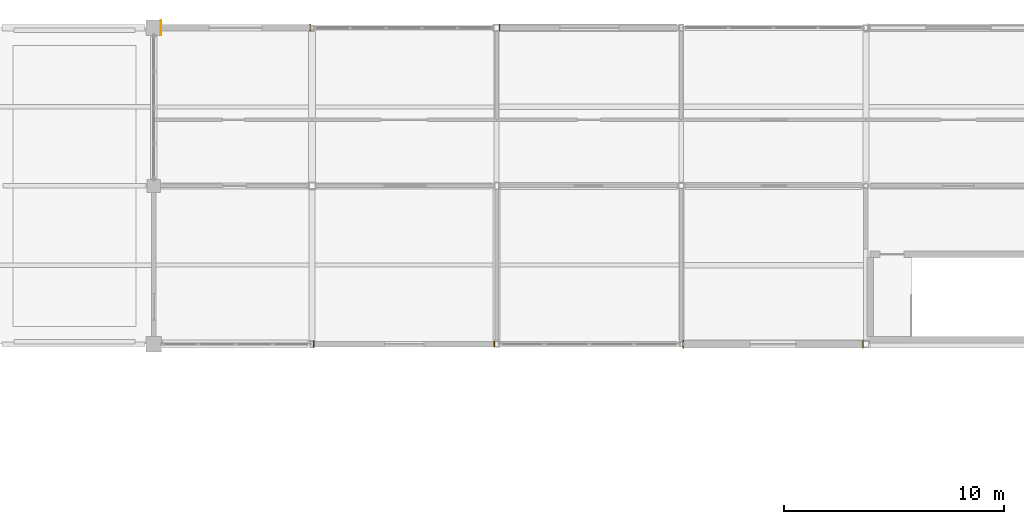
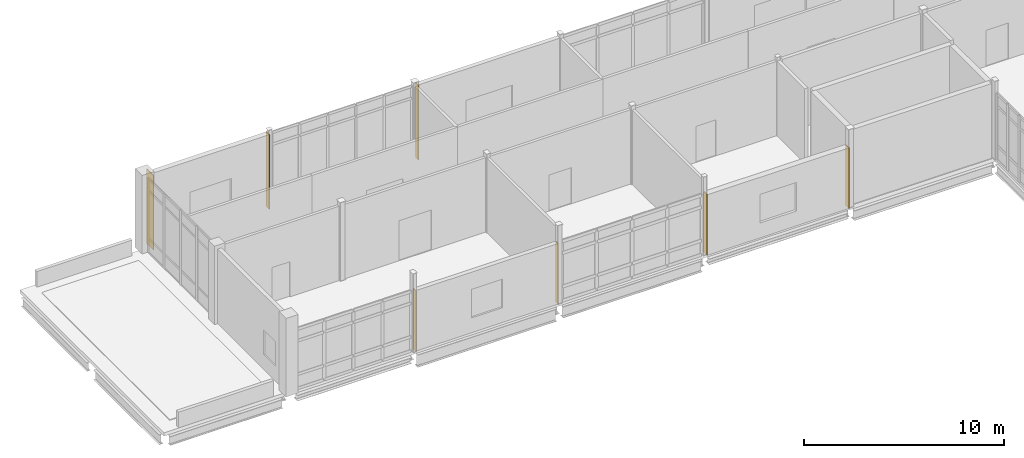
# One storey, part 148 of 153: 7 coverings.
"""IFC4 building model written with IfcOpenShell, lengths in metres."""

from ifc_helpers import new_model, si_unit, direction, frame, origin, place, context, subcontext, project, spatial, polyline, outline, extrude, material, layer, layer_set, type_object, element, save


model = new_model("IFC4")

# Units and contexts
model_context = context("Model", 3, precision=1e-05, world=origin(), true_north=direction((0.0, 1.0)))
body_context = subcontext(model_context, "Body", "Model", "MODEL_VIEW")
ifc_project = project(units=[si_unit("LENGTHUNIT", "METRE"), si_unit("AREAUNIT", "SQUARE_METRE"), si_unit("VOLUMEUNIT", "CUBIC_METRE"), si_unit("PLANEANGLEUNIT", "RADIAN"), si_unit("MASSUNIT", "GRAM", prefix="KILO")], contexts=[model_context])

# Site, building, storey
site_placement = place(None, origin())
site = spatial("IfcSite", under=ifc_project, at=site_placement, CompositionType="ELEMENT")
building_placement = place(site_placement, origin())
building = spatial("IfcBuilding", under=site, at=building_placement, Name="Calvrana Isthmian Art Gallery", CompositionType="ELEMENT")
storey_placement = place(building_placement, frame((0.0, 0.0, 10.199951171875)))
storey = spatial("IfcBuildingStorey", under=building, at=storey_placement, Name="L02", CompositionType="ELEMENT", Elevation=10.199951171875)

# Coverings
ifc_material = material(Name="Polychrome glazed terracotta", Category="masonry")
ifc_layer = layer(ifc_material, 0.0400390625, Name="Polychrome glazed terracotta")
ifc_layer_set = layer_set([ifc_layer], Name="Polychrome glazed terracotta")
covering_type = type_object("IfcCoveringType", Name="COV-CLAD-TERRA", PredefinedType="CLADDING", material=ifc_layer_set)
covering_1_placement = place(storey_placement, origin())
element("IfcCovering", 1, at=covering_1_placement, inside=storey, type_object=covering_type, Name="Column pocket weather closure L02-03-13-W", PredefinedType="CLADDING", context=body_context, shape_type="SweptSolid", body=[
    extrude(outline(polyline([(21.66162109375, 98.252685546875), (21.70166015625, 98.252685546875), (21.70166015625, 98.54736328125), (21.66162109375, 98.54736328125), (21.66162109375, 98.252685546875)])), origin(), (0.0, 0.0, 1.0), 3.695068359375),
])
covering_2_placement = place(storey_placement, origin())
element("IfcCovering", 2, at=covering_2_placement, inside=storey, type_object=covering_type, Name="Column pocket weather closure L02-03-13-E", PredefinedType="CLADDING", context=body_context, shape_type="SweptSolid", body=[
    extrude(outline(polyline([(29.873046875, 98.27490234375), (29.9130859375, 98.27490234375), (29.9130859375, 98.52490234375), (29.873046875, 98.52490234375), (29.873046875, 98.27490234375)])), origin(), (0.0, 0.0, 1.0), 3.695068359375),
])
covering_3_placement = place(storey_placement, origin())
element("IfcCovering", 3, at=covering_3_placement, inside=storey, type_object=covering_type, Name="Column pocket weather closure L02-05-13-W", PredefinedType="CLADDING", context=body_context, shape_type="SweptSolid", body=[
    extrude(outline(polyline([(38.461669921875, 98.22509765625), (38.501708984375, 98.22509765625), (38.501708984375, 98.574951171875), (38.461669921875, 98.574951171875), (38.461669921875, 98.22509765625)])), origin(), (0.0, 0.0, 1.0), 3.695068359375),
])
covering_4_placement = place(storey_placement, origin())
element("IfcCovering", 4, at=covering_4_placement, inside=storey, type_object=covering_type, Name="Column pocket weather closure L02-05-13-E", PredefinedType="CLADDING", context=body_context, shape_type="SweptSolid", body=[
    extrude(outline(polyline([(46.647705078125, 98.22509765625), (46.6875, 98.22509765625), (46.6875, 98.574951171875), (46.647705078125, 98.574951171875), (46.647705078125, 98.22509765625)])), origin(), (0.0, 0.0, 1.0), 3.695068359375),
])
covering_5_placement = place(storey_placement, origin())
element("IfcCovering", 5, at=covering_5_placement, inside=storey, type_object=covering_type, Name="Column pocket weather closure L02-02-15-W", PredefinedType="CLADDING", context=body_context, shape_type="SweptSolid", body=[
    extrude(outline(polyline([(14.7099609375, 112.455078125), (14.75, 112.455078125), (14.75, 113.14501953125), (14.7099609375, 113.14501953125), (14.7099609375, 112.455078125)])), origin(), (0.0, 0.0, 1.0), 4.56005859375),
])
covering_6_placement = place(storey_placement, origin())
element("IfcCovering", 6, at=covering_6_placement, inside=storey, type_object=covering_type, Name="Column pocket weather closure L02-02-15-E", PredefinedType="CLADDING", context=body_context, shape_type="SweptSolid", body=[
    extrude(outline(polyline([(21.498291015625, 112.64990234375), (21.538330078125, 112.64990234375), (21.538330078125, 112.949951171875), (21.498291015625, 112.949951171875), (21.498291015625, 112.64990234375)])), origin(), (0.0, 0.0, 1.0), 4.56005859375),
])
covering_7_placement = place(storey_placement, origin())
element("IfcCovering", 7, at=covering_7_placement, inside=storey, type_object=covering_type, Name="Column pocket weather closure L02-04-15-W", PredefinedType="CLADDING", context=body_context, shape_type="SweptSolid", body=[
    extrude(outline(polyline([(30.1123046875, 112.652587890625), (30.15234375, 112.652587890625), (30.15234375, 112.947509765625), (30.1123046875, 112.947509765625), (30.1123046875, 112.652587890625)])), origin(), (0.0, 0.0, 1.0), 4.56005859375),
])

save(model, "model.ifc")
